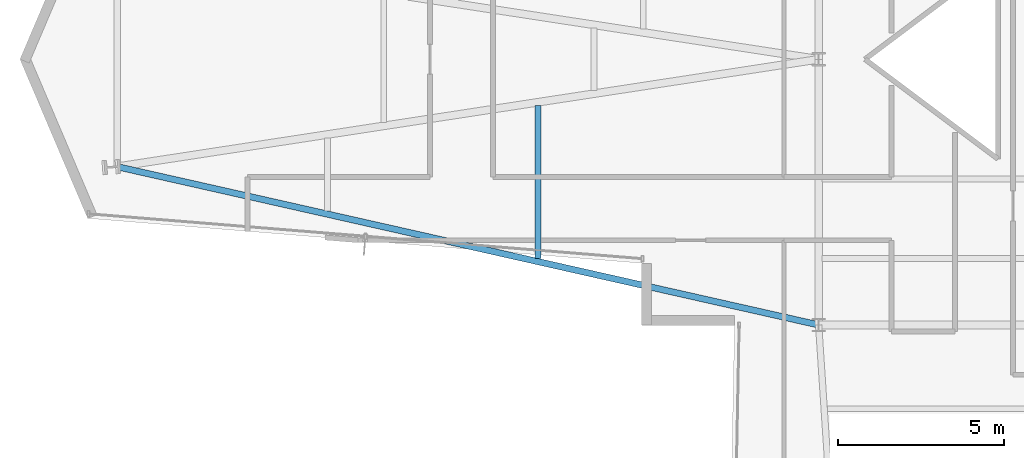
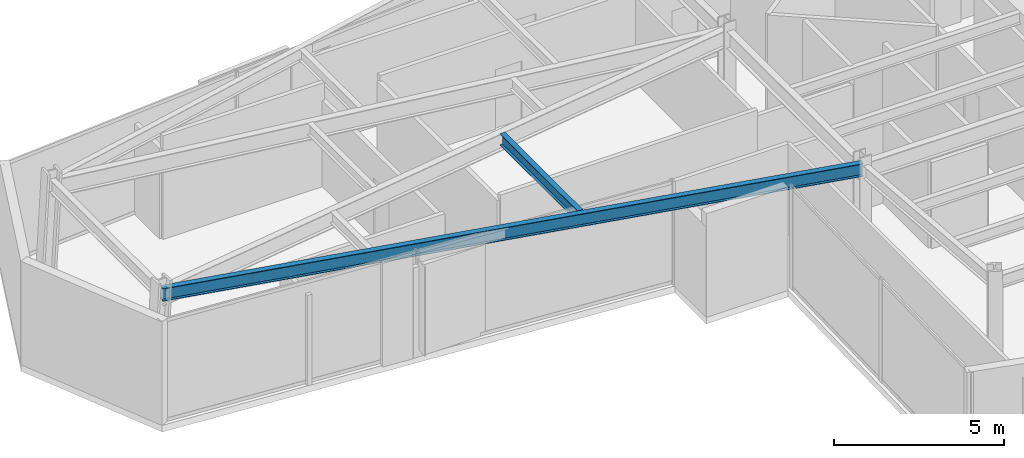
# One storey, part 3 of 25: 2 beams.
"""IFC4 building model written with IfcOpenShell, lengths in metres."""

import ifcopenshell
import ifcopenshell.guid

model = None  # the IFC model being written
_history = None  # IfcOwnerHistory: only IFC2X3 demands one
_inside = {}  # id of a spatial element -> (the spatial element, [elements in it])
_under = {}  # id of a project, library or spatial element -> (it, [spatial elements below it])
_declared = {}  # id of a project -> (the project, [libraries it declares])
_typed = {}  # id of a type object -> (the type object, [elements of that type])
_made_of = {}  # id of a material, layer set ... -> (it, [elements and type objects made of it])


def new_model(schema):
    """Start an empty IFC model of exactly this schema.

    Asked for "IFC4X3", IfcOpenShell would pick the latest addendum, in which some entities
    have other attributes; the version numbers below select the first issue.
    IFC2X3 requires an IfcOwnerHistory on every rooted entity: one is made here for all.
    """
    global model, _history
    if schema == "IFC4X3":
        model = ifcopenshell.file(schema_version=(4, 3, 0, 0))
    else:
        model = ifcopenshell.file(schema=schema)
    _inside.clear()
    _under.clear()
    _declared.clear()
    _typed.clear()
    _made_of.clear()
    _history = None
    if model.schema == "IFC2X3":
        org = make("IfcOrganization", Name="unknown")
        user = make(
            "IfcPersonAndOrganization",
            ThePerson=make("IfcPerson", FamilyName="unknown"),
            TheOrganization=org,
        )
        app = make(
            "IfcApplication",
            ApplicationDeveloper=org,
            Version="unknown",
            ApplicationFullName="unknown",
            ApplicationIdentifier="unknown",
        )
        _history = make(
            "IfcOwnerHistory",
            OwningUser=user,
            OwningApplication=app,
            ChangeAction="ADDED",
            CreationDate=0,
        )
    return model


def make(cls, **values):
    """One entity of the class cls with the attributes given. An attribute that is None is left unset."""
    return model.create_entity(
        cls, **{name: value for name, value in values.items() if value is not None}
    )


def rooted(cls, **values):
    """An entity with a GlobalId (a new one), such as an element, a storey or a relation."""
    return make(cls, GlobalId=ifcopenshell.guid.new(), OwnerHistory=_history, **values)


def si_unit(unit_type, name, prefix=None):
    """IfcSIUnit, for example si_unit("LENGTHUNIT", "METRE", prefix="MILLI")."""
    return make("IfcSIUnit", UnitType=unit_type, Prefix=prefix, Name=name)


def assignment(units):
    """IfcUnitAssignment: the units of a project."""
    return None if units is None else make("IfcUnitAssignment", Units=units)


def point(xyz):
    """IfcCartesianPoint."""
    return None if xyz is None else make("IfcCartesianPoint", Coordinates=xyz)


def direction(xyz):
    """IfcDirection."""
    return None if xyz is None else make("IfcDirection", DirectionRatios=xyz)


def frame(location, z_axis=None, x_axis=None):
    """IfcAxis2Placement3D, a coordinate frame: its origin and axes. An axis left out is left unset."""
    return make(
        "IfcAxis2Placement3D",
        Location=point(location),
        Axis=direction(z_axis),
        RefDirection=direction(x_axis),
    )


def frame_2d(location, x_axis=None):
    """IfcAxis2Placement2D, a coordinate frame in the plane: its origin and x axis."""
    return make(
        "IfcAxis2Placement2D", Location=point(location), RefDirection=direction(x_axis)
    )


def origin():
    """The frame at (0, 0, 0) with its axes left unset."""
    return frame((0.0, 0.0, 0.0))


def origin_2d():
    """The frame at (0, 0) in the plane with its x axis left unset."""
    return frame_2d((0.0, 0.0))


def place(relative_to, where):
    """IfcLocalPlacement: puts the frame where relative to a parent placement (None: the world)."""
    return make(
        "IfcLocalPlacement", PlacementRelTo=relative_to, RelativePlacement=where
    )


def context(
    kind, dimensions, precision=None, world=None, true_north=None, identifier=None
):
    """IfcGeometricRepresentationContext, for example the 3D "Model" context."""
    return make(
        "IfcGeometricRepresentationContext",
        ContextIdentifier=identifier,
        ContextType=kind,
        CoordinateSpaceDimension=dimensions,
        Precision=precision,
        WorldCoordinateSystem=world,
        TrueNorth=true_north,
    )


def subcontext(parent, identifier, kind, view, scale=None):
    """IfcGeometricRepresentationSubContext, for example "Body" below "Model"."""
    return make(
        "IfcGeometricRepresentationSubContext",
        ContextIdentifier=identifier,
        ContextType=kind,
        ParentContext=parent,
        TargetScale=scale,
        TargetView=view,
    )


def project(units=None, contexts=None):
    """IfcProject with its units and contexts."""
    return rooted(
        "IfcProject",
        Name="project",
        RepresentationContexts=contexts,
        UnitsInContext=assignment(units),
    )


def spatial(cls, under=None, at=None, **own):
    """A site, building, storey or space (cls), placed at a placement, below another one or the project."""
    s = rooted(cls, ObjectPlacement=at, **own)
    if under is not None:
        _under.setdefault(under.id(), (under, []))[1].append(s)
    return s


def profile(cls, at=None, kind="AREA", **sizes):
    """A parametric profile (cls). Its sizes go by their IFC names, for example OverallWidth=200.0."""
    return make(cls, ProfileType=kind, Position=at, **sizes)


def i_section(**sizes):
    """IfcIShapeProfileDef."""
    return profile("IfcIShapeProfileDef", **sizes)


def extrude(swept, where, along, depth):
    """IfcExtrudedAreaSolid: the profile swept, set in the frame where, extruded along a direction by depth."""
    return make(
        "IfcExtrudedAreaSolid",
        SweptArea=swept,
        Position=where,
        ExtrudedDirection=direction(along),
        Depth=depth,
    )


def shape(context_of_items, identifier, shape_type, items):
    """IfcShapeRepresentation: the items that make up one representation, for example the "Body"."""
    return make(
        "IfcShapeRepresentation",
        ContextOfItems=context_of_items,
        RepresentationIdentifier=identifier,
        RepresentationType=shape_type,
        Items=items,
    )


def material(Name=None, Category=None):
    """IfcMaterial."""
    return make("IfcMaterial", Name=Name, Category=Category)


def material_profile(
    of_material, cross_section, Name=None, Category=None, Priority=None
):
    """IfcMaterialProfile: a cross section and its material."""
    return make(
        "IfcMaterialProfile",
        Name=Name,
        Material=of_material,
        Profile=cross_section,
        Priority=Priority,
        Category=Category,
    )


def profile_set(profiles, Name=None, composite=None):
    """IfcMaterialProfileSet."""
    return make(
        "IfcMaterialProfileSet",
        Name=Name,
        MaterialProfiles=profiles,
        CompositeProfile=composite,
    )


def made_of(thing, what):
    """Note that an element or type object is made of a material, layer set ...; save() writes the relation."""
    if what is not None:
        _made_of.setdefault(what.id(), (what, []))[1].append(thing)
    return thing


def type_object(cls, material=None, **own):
    """A type object (cls), such as IfcWallType, which elements share."""
    return made_of(rooted(cls, **own), material)


def element(
    cls,
    number,
    at=None,
    inside=None,
    cuts=None,
    type_object=None,
    material=None,
    context=None,
    identifier="Body",
    shape_type=None,
    held_by="IfcProductDefinitionShape",
    body=None,
    shapes=None,
    **own,
):
    """One element of the class cls, such as IfcWall. Its Tag is "e" and its number.

    at: its placement. inside: the storey or other place that contains it. cuts: it is an
    opening in that element (IfcRelVoidsElement). A single representation is given by context,
    identifier, shape_type and body (its items); several are given by shapes. held_by: the class
    of the entity that holds the representations. save() writes the other relations.
    """
    e = rooted(cls, Tag="e%d" % number, ObjectPlacement=at, **own)
    if body is not None:
        shapes = [shape(context, identifier, shape_type, body)]
    if shapes is not None:
        e.Representation = make(held_by, Representations=shapes)
    if inside is not None:
        _inside.setdefault(inside.id(), (inside, []))[1].append(e)
    if cuts is not None:
        rooted(
            "IfcRelVoidsElement", RelatingBuildingElement=cuts, RelatedOpeningElement=e
        )
    if type_object is not None:
        _typed.setdefault(type_object.id(), (type_object, []))[1].append(e)
    return made_of(e, material)


def aggregate(whole, parts):
    """IfcRelAggregates: a whole, such as a stair, and the parts it consists of."""
    return rooted("IfcRelAggregates", RelatingObject=whole, RelatedObjects=parts)


def save(model, path):
    """Write the relations noted so far, then the file.

    IfcRelAggregates (storeys below a building ...), IfcRelContainedInSpatialStructure (elements
    in a storey), IfcRelDefinesByType, IfcRelAssociatesMaterial and IfcRelDeclares: one each for
    every whole, place, type object, material and project.
    """
    for whole, parts in _under.values():
        aggregate(whole, parts)
    for where, things in _inside.values():
        rooted(
            "IfcRelContainedInSpatialStructure",
            RelatedElements=things,
            RelatingStructure=where,
        )
    for kind, things in _typed.values():
        rooted("IfcRelDefinesByType", RelatedObjects=things, RelatingType=kind)
    for what, things in _made_of.values():
        rooted("IfcRelAssociatesMaterial", RelatedObjects=things, RelatingMaterial=what)
    for by, libraries in _declared.values():
        rooted("IfcRelDeclares", RelatingContext=by, RelatedDefinitions=libraries)
    model.write(path)


model = new_model("IFC4")

# Units and contexts
model_context = context("Model", 3, precision=1e-05, world=origin(), true_north=direction((0.0, 1.0)))
body_context = subcontext(model_context, "Body", "Model", "MODEL_VIEW")
ifc_project = project(units=[si_unit("LENGTHUNIT", "METRE"), si_unit("AREAUNIT", "SQUARE_METRE"), si_unit("VOLUMEUNIT", "CUBIC_METRE"), si_unit("PLANEANGLEUNIT", "RADIAN"), si_unit("MASSUNIT", "GRAM", prefix="KILO")], contexts=[model_context])

# Site, building, storey
site_placement = place(None, origin())
site = spatial("IfcSite", under=ifc_project, at=site_placement, CompositionType="ELEMENT")
building_placement = place(site_placement, origin())
building = spatial("IfcBuilding", under=site, at=building_placement, Name="Veymaron Broadcast Tower", CompositionType="ELEMENT")
storey_placement = place(building_placement, frame((0.0, 0.0, 102.60009765625)))
storey = spatial("IfcBuildingStorey", under=building, at=storey_placement, Name="L23", CompositionType="ELEMENT", Elevation=102.60009765625)

# Beams
ifc_material = material(Name="Structural steel ASTM A992 Gr 50", Category="steel")
ifc_material_profile_1 = material_profile(ifc_material, i_section(OverallWidth=0.177978515625, OverallDepth=0.406982421875, WebThickness=0.0078125, FlangeThickness=0.0126953125, at=origin_2d()), Name="W410X60")
ifc_profile_set_1 = profile_set([ifc_material_profile_1], Name="Structural steel ASTM A992 Gr 50")
beam_type_1 = type_object("IfcBeamType", Name="BM-JS1", PredefinedType="JOIST", material=ifc_profile_set_1)
beam_1_placement = place(storey_placement, frame((22.750732421875, 18.006103515625, 3.5263671875), z_axis=(0.0, 1.0, 0.0), x_axis=(-1.0, 0.0, 0.0)))
element("IfcBeam", 1, at=beam_1_placement, inside=storey, type_object=beam_type_1, Name="L23 Arm-A secondary joist 2S", PredefinedType="JOIST", context=body_context, shape_type="SweptSolid", body=[
    extrude(i_section(OverallWidth=0.177978515625, OverallDepth=0.406982421875, WebThickness=0.0078125, FlangeThickness=0.0126953125, at=origin_2d()), origin(), (0.0, 0.0, 1.0), 4.599853515625),
])
ifc_material_profile_2 = material_profile(ifc_material, i_section(OverallWidth=0.19091796875, OverallDepth=0.4599609375, WebThickness=0.010009765625, FlangeThickness=0.01611328125, at=origin_2d()), Name="W460X82")
ifc_profile_set_2 = profile_set([ifc_material_profile_2], Name="Structural steel ASTM A992 Gr 50")
beam_type_2 = type_object("IfcBeamType", Name="BM-SP1", PredefinedType="SPANDREL", material=ifc_profile_set_2)
beam_2_placement = place(storey_placement, frame((10.076904296875, 20.764892578125, 3.5), z_axis=(0.975488879822, -0.220048734021, 0.0), x_axis=(0.220048734021, 0.975488879822, 0.0)))
element("IfcBeam", 2, at=beam_2_placement, inside=storey, type_object=beam_type_2, Name="L23 primary structural floor girder", PredefinedType="SPANDREL", context=body_context, shape_type="SweptSolid", body=[
    extrude(i_section(OverallWidth=0.19091796875, OverallDepth=0.4599609375, WebThickness=0.010009765625, FlangeThickness=0.01611328125, at=origin_2d()), origin(), (0.0, 0.0, 1.0), 21.65380859375),
])

save(model, "model.ifc")
